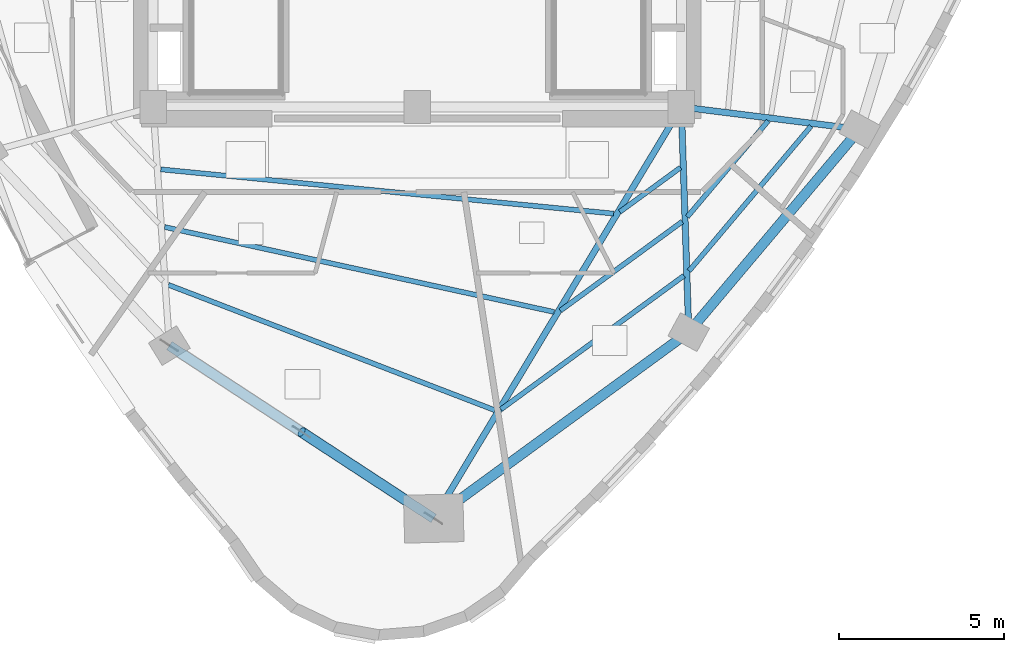
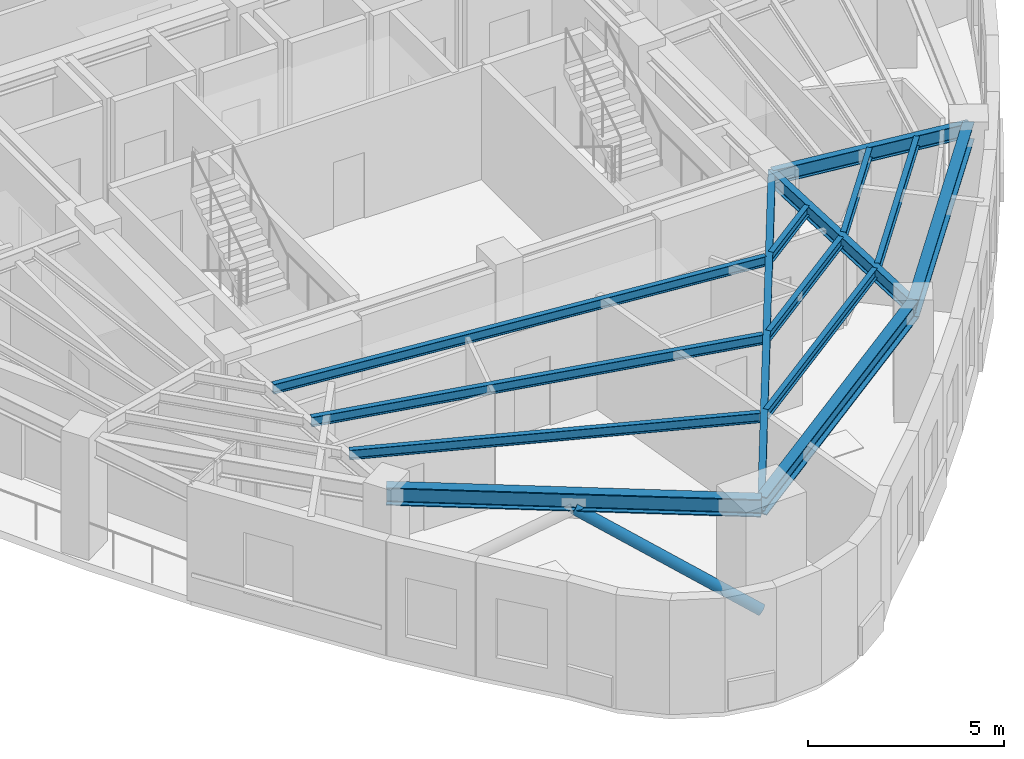
# One storey, part 3 of 13: 14 beams, 1 member.
"""IFC4 building model written with IfcOpenShell, lengths in metres."""

from ifc_helpers import new_model, si_unit, direction, frame, origin, origin_2d, place, context, subcontext, project, spatial, hollow_circle, i_section, extrude, material, material_profile, profile_set, type_object, element, save


model = new_model("IFC4")

# Units and contexts
model_context = context("Model", 3, precision=1e-05, world=origin(), true_north=direction((0.0, 1.0)))
body_context = subcontext(model_context, "Body", "Model", "MODEL_VIEW")
ifc_project = project(units=[si_unit("LENGTHUNIT", "METRE"), si_unit("AREAUNIT", "SQUARE_METRE"), si_unit("VOLUMEUNIT", "CUBIC_METRE"), si_unit("PLANEANGLEUNIT", "RADIAN"), si_unit("MASSUNIT", "GRAM", prefix="KILO")], contexts=[model_context])

# Site, building, storey
site_placement = place(None, origin())
site = spatial("IfcSite", under=ifc_project, at=site_placement, CompositionType="ELEMENT")
building_placement = place(site_placement, origin())
building = spatial("IfcBuilding", under=site, at=building_placement, Name="Ndelora Gate Hotel", CompositionType="ELEMENT")
storey_placement = place(building_placement, frame((0.0, 0.0, 197.949951171875)))
storey = spatial("IfcBuildingStorey", under=building, at=storey_placement, Name="L49", CompositionType="ELEMENT", Elevation=197.949951171875)

# Beams
ifc_material = material(Name="Steel S355", Category="steel")
ifc_material_profile_1 = material_profile(ifc_material, i_section(OverallWidth=0.14990234375, OverallDepth=0.300048828125, WebThickness=0.007080078125, FlangeThickness=0.0107421875, FilletRadius=0.014892578125, at=origin_2d()), Name="IPE 300")
ifc_profile_set_1 = profile_set([ifc_material_profile_1], Name="Steel S355")
beam_type_1 = type_object("IfcBeamType", Name="BM-JST-300", PredefinedType="JOIST", material=ifc_profile_set_1)
beam_1_placement = place(storey_placement, frame((-7.767578125, -8.489501953125, 3.400146484375), z_axis=(0.995253727902, -0.097314012848, 0.0), x_axis=(0.097314012848, 0.995253727902, 0.0)))
element("IfcBeam", 1, at=beam_1_placement, inside=storey, type_object=beam_type_1, Name="L49 Secondary Composite Floor Joist IN-4", PredefinedType="JOIST", context=body_context, shape_type="SweptSolid", body=[
    extrude(i_section(OverallWidth=0.14990234375, OverallDepth=0.300048828125, WebThickness=0.007080078125, FlangeThickness=0.0107421875, FilletRadius=0.014892578125, at=origin_2d()), origin(), (0.0, 0.0, 1.0), 13.7783203125),
])
beam_2_placement = place(storey_placement, frame((-7.651611328125, -10.236572265625, 3.400146484375), z_axis=(0.977032906758, -0.213088477191, 0.0), x_axis=(0.213088477191, 0.977032906758, 0.0)))
element("IfcBeam", 2, at=beam_2_placement, inside=storey, type_object=beam_type_1, Name="L49 Secondary Composite Floor Joist MID-4", PredefinedType="JOIST", context=body_context, shape_type="SweptSolid", body=[
    extrude(i_section(OverallWidth=0.14990234375, OverallDepth=0.300048828125, WebThickness=0.007080078125, FlangeThickness=0.0107421875, FilletRadius=0.014892578125, at=origin_2d()), origin(), (0.0, 0.0, 1.0), 12.075927734375),
])
beam_3_placement = place(storey_placement, frame((-7.5380859375, -11.98681640625, 3.400146484375), z_axis=(0.933489266504, -0.358605339227, 0.0), x_axis=(0.358605339227, 0.933489266504, 0.0)))
element("IfcBeam", 3, at=beam_3_placement, inside=storey, type_object=beam_type_1, Name="L49 Secondary Composite Floor Joist OUT-4", PredefinedType="JOIST", context=body_context, shape_type="SweptSolid", body=[
    extrude(i_section(OverallWidth=0.14990234375, OverallDepth=0.300048828125, WebThickness=0.007080078125, FlangeThickness=0.0107421875, FilletRadius=0.014892578125, at=origin_2d()), origin(), (0.0, 0.0, 1.0), 10.593994140625),
])
beam_4_placement = place(storey_placement, frame((6.134521484375, -9.77880859375, 3.400146484375), z_axis=(0.80739897839, 0.590005838696, 0.0), x_axis=(-0.590005838696, 0.80739897839, 0.0)))
element("IfcBeam", 4, at=beam_4_placement, inside=storey, type_object=beam_type_1, Name="L49 Secondary Composite Floor Joist IN-5", PredefinedType="JOIST", context=body_context, shape_type="SweptSolid", body=[
    extrude(i_section(OverallWidth=0.14990234375, OverallDepth=0.300048828125, WebThickness=0.007080078125, FlangeThickness=0.0107421875, FilletRadius=0.014892578125, at=origin_2d()), origin(), (0.0, 0.0, 1.0), 2.277587890625),
])
beam_5_placement = place(storey_placement, frame((4.33447265625, -12.77001953125, 3.400146484375), z_axis=(0.807439047151, 0.589951002318, 0.0), x_axis=(-0.589951002318, 0.807439047151, 0.0)))
element("IfcBeam", 5, at=beam_5_placement, inside=storey, type_object=beam_type_1, Name="L49 Secondary Composite Floor Joist MID-5", PredefinedType="JOIST", context=body_context, shape_type="SweptSolid", body=[
    extrude(i_section(OverallWidth=0.14990234375, OverallDepth=0.300048828125, WebThickness=0.007080078125, FlangeThickness=0.0107421875, FilletRadius=0.014892578125, at=origin_2d()), origin(), (0.0, 0.0, 1.0), 4.5732421875),
])
beam_6_placement = place(storey_placement, frame((2.5341796875, -15.761474609375, 3.400146484375), z_axis=(0.807430841486, 0.589962232874, 0.0), x_axis=(-0.589962232874, 0.807430841486, 0.0)))
element("IfcBeam", 6, at=beam_6_placement, inside=storey, type_object=beam_type_1, Name="L49 Secondary Composite Floor Joist OUT-5", PredefinedType="JOIST", context=body_context, shape_type="SweptSolid", body=[
    extrude(i_section(OverallWidth=0.14990234375, OverallDepth=0.300048828125, WebThickness=0.007080078125, FlangeThickness=0.0107421875, FilletRadius=0.014892578125, at=origin_2d()), origin(), (0.0, 0.0, 1.0), 6.869384765625),
])
beam_7_placement = place(storey_placement, frame((8.1796875, -9.9296875, 3.400146484375), z_axis=(0.644319387893, 0.764756514444, 0.0), x_axis=(-0.764756514444, 0.644319387893, 0.0)))
element("IfcBeam", 7, at=beam_7_placement, inside=storey, type_object=beam_type_1, Name="L49 Secondary Composite Floor Joist MID-6", PredefinedType="JOIST", context=body_context, shape_type="SweptSolid", body=[
    extrude(i_section(OverallWidth=0.14990234375, OverallDepth=0.300048828125, WebThickness=0.007080078125, FlangeThickness=0.0107421875, FilletRadius=0.014892578125, at=origin_2d()), origin(), (0.0, 0.0, 1.0), 3.806884765625),
])
beam_8_placement = place(storey_placement, frame((8.2333984375, -11.56640625, 3.400146484375), z_axis=(0.644324492463, 0.764752213735, 0.0), x_axis=(-0.764752213735, 0.644324492463, 0.0)))
element("IfcBeam", 8, at=beam_8_placement, inside=storey, type_object=beam_type_1, Name="L49 Secondary Composite Floor Joist OUT-6", PredefinedType="JOIST", context=body_context, shape_type="SweptSolid", body=[
    extrude(i_section(OverallWidth=0.14990234375, OverallDepth=0.300048828125, WebThickness=0.007080078125, FlangeThickness=0.0107421875, FilletRadius=0.014892578125, at=origin_2d()), origin(), (0.0, 0.0, 1.0), 5.735107421875),
])
ifc_material_profile_2 = material_profile(ifc_material, i_section(OverallWidth=0.18994140625, OverallDepth=0.449951171875, WebThickness=0.009521484375, FlangeThickness=0.0146484375, FilletRadius=0.02099609375, at=origin_2d()), Name="IPE 450")
ifc_profile_set_2 = profile_set([ifc_material_profile_2], Name="Steel S355")
beam_type_2 = type_object("IfcBeamType", Name="BM-RAD-450", PredefinedType="BEAM", material=ifc_profile_set_2)
beam_9_placement = place(storey_placement, frame((8.0, -6.60009765625, 3.324951171875), z_axis=(-0.515620753203, -0.856816922607, 0.0), x_axis=(0.856816922607, -0.515620753203, 0.0)))
element("IfcBeam", 9, at=beam_9_placement, inside=storey, type_object=beam_type_2, Name="L49 Radial Floor Girder 5", PredefinedType="BEAM", context=body_context, shape_type="SweptSolid", body=[
    extrude(i_section(OverallWidth=0.18994140625, OverallDepth=0.449951171875, WebThickness=0.009521484375, FlangeThickness=0.0146484375, FilletRadius=0.02099609375, at=origin_2d()), origin(), (0.0, 0.0, 1.0), 14.546875),
])
beam_10_placement = place(storey_placement, frame((8.0, -6.60009765625, 3.324951171875), z_axis=(0.032809705109, -0.999461616697, 0.0), x_axis=(0.999461616697, 0.032809705109, 0.0)))
element("IfcBeam", 10, at=beam_10_placement, inside=storey, type_object=beam_type_2, Name="L49 Radial Floor Girder 6", PredefinedType="BEAM", context=body_context, shape_type="SweptSolid", body=[
    extrude(i_section(OverallWidth=0.18994140625, OverallDepth=0.449951171875, WebThickness=0.009521484375, FlangeThickness=0.0146484375, FilletRadius=0.02099609375, at=origin_2d()), origin(), (0.0, 0.0, 1.0), 6.823486328125),
])
beam_11_placement = place(storey_placement, frame((8.0, -6.60009765625, 3.324951171875), z_axis=(0.992266830725, -0.124123070552, 0.0), x_axis=(0.124123070552, 0.992266830725, 0.0)))
element("IfcBeam", 11, at=beam_11_placement, inside=storey, type_object=beam_type_2, Name="L49 Radial Floor Girder 7", PredefinedType="BEAM", context=body_context, shape_type="SweptSolid", body=[
    extrude(i_section(OverallWidth=0.18994140625, OverallDepth=0.449951171875, WebThickness=0.009521484375, FlangeThickness=0.0146484375, FilletRadius=0.02099609375, at=origin_2d()), origin(), (0.0, 0.0, 1.0), 5.4423828125),
])
ifc_material_profile_3 = material_profile(ifc_material, i_section(OverallWidth=0.300048828125, OverallDepth=0.550048828125, WebThickness=0.014892578125, FlangeThickness=0.029052734375, FilletRadius=0.027099609375, at=origin_2d()), Name="HEB 550")
ifc_profile_set_3 = profile_set([ifc_material_profile_3], Name="Steel S355")
beam_type_3 = type_object("IfcBeamType", Name="BM-RING-550", PredefinedType="SPANDREL", material=ifc_profile_set_3)
beam_12_placement = place(storey_placement, frame((-7.50830078125, -13.828369140625, 3.275146484375), z_axis=(0.836963769915, -0.547258300851, 0.0), x_axis=(0.547258300851, 0.836963769915, 0.0)))
element("IfcBeam", 12, at=beam_12_placement, inside=storey, type_object=beam_type_3, Name="L49 Perimeter Spandrel Girder 4", PredefinedType="SPANDREL", context=body_context, shape_type="SweptSolid", body=[
    extrude(i_section(OverallWidth=0.300048828125, OverallDepth=0.550048828125, WebThickness=0.014892578125, FlangeThickness=0.029052734375, FilletRadius=0.027099609375, at=origin_2d()), origin(), (0.0, 0.0, 1.0), 9.5673828125),
])
beam_13_placement = place(storey_placement, frame((0.499267578125, -19.064208984375, 3.275146484375), z_axis=(0.807421980226, 0.58997436033, 0.0), x_axis=(-0.58997436033, 0.807421980226, 0.0)))
element("IfcBeam", 13, at=beam_13_placement, inside=storey, type_object=beam_type_3, Name="L49 Perimeter Spandrel Girder 5", PredefinedType="SPANDREL", context=body_context, shape_type="SweptSolid", body=[
    extrude(i_section(OverallWidth=0.300048828125, OverallDepth=0.550048828125, WebThickness=0.014892578125, FlangeThickness=0.029052734375, FilletRadius=0.027099609375, at=origin_2d()), origin(), (0.0, 0.0, 1.0), 9.56689453125),
])
beam_14_placement = place(storey_placement, frame((8.223876953125, -13.419921875, 3.275146484375), z_axis=(0.644308845181, 0.764765396721, 0.0), x_axis=(-0.764765396721, 0.644308845181, 0.0)))
element("IfcBeam", 14, at=beam_14_placement, inside=storey, type_object=beam_type_3, Name="L49 Perimeter Spandrel Girder 6", PredefinedType="SPANDREL", context=body_context, shape_type="SweptSolid", body=[
    extrude(i_section(OverallWidth=0.300048828125, OverallDepth=0.550048828125, WebThickness=0.014892578125, FlangeThickness=0.029052734375, FilletRadius=0.027099609375, at=origin_2d()), origin(), (0.0, 0.0, 1.0), 8.0341796875),
])

# Member
ifc_material_profile_4 = material_profile(ifc_material, hollow_circle(Radius=0.161865234375, WallThickness=0.01611328125, at=origin_2d()), Name="CHS 323.9x16")
ifc_profile_set_4 = profile_set([ifc_material_profile_4], Name="Steel S355")
member_type = type_object("IfcMemberType", Name="MB-TUBE-324", PredefinedType="BRACE", material=ifc_profile_set_4)
member_placement = place(storey_placement, frame((0.499267578125, -19.064208984375, 0.02001953125), z_axis=(-0.710388605042, 0.464509848885, 0.528751955189), x_axis=(-0.547269989178, -0.836956127252, 0.0)))
element("IfcMember", 15, at=member_placement, inside=storey, type_object=member_type, Name="L49 Perimeter Braced-Tube Diagonal 4B", PredefinedType="BRACE", context=body_context, shape_type="SweptSolid", body=[
    extrude(hollow_circle(Radius=0.161865234375, WallThickness=0.01611328125, at=origin_2d()), origin(), (0.0, 0.0, 1.0), 5.635986328125),
])

save(model, "model.ifc")
